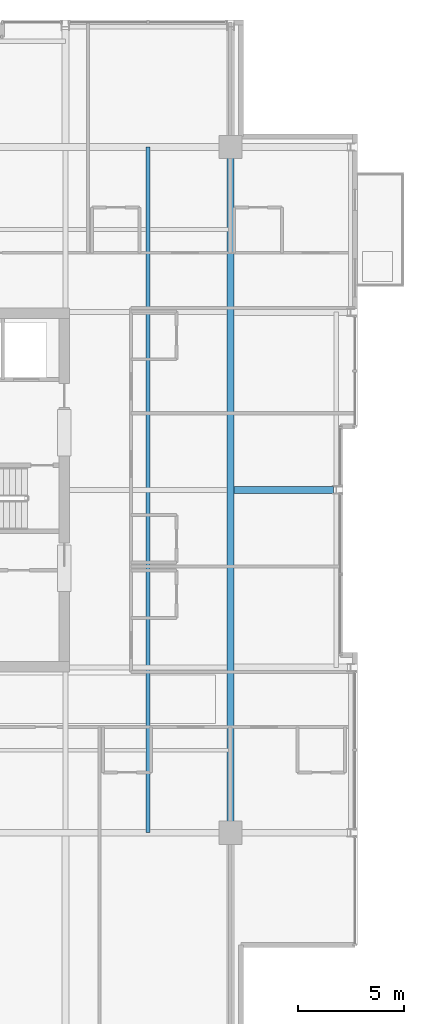
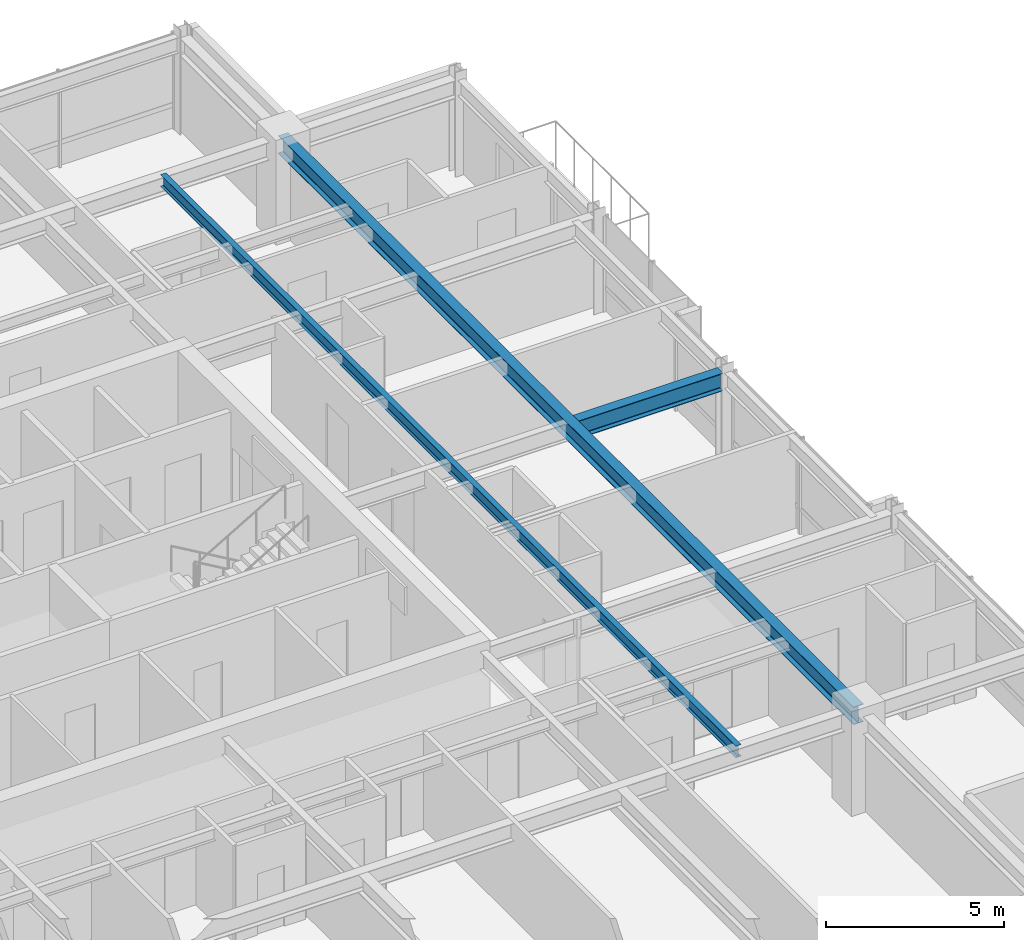
# One storey, part 17 of 34: 3 beams.
"""IFC4 building model written with IfcOpenShell, lengths in metres."""

from ifc_helpers import new_model, si_unit, direction, frame, origin, origin_2d, place, context, subcontext, project, spatial, i_section, extrude, material, material_profile, profile_set, type_object, element, save


model = new_model("IFC4")

# Units and contexts
model_context = context("Model", 3, precision=1e-05, world=origin(), true_north=direction((0.0, 1.0)))
body_context = subcontext(model_context, "Body", "Model", "MODEL_VIEW")
ifc_project = project(units=[si_unit("LENGTHUNIT", "METRE"), si_unit("AREAUNIT", "SQUARE_METRE"), si_unit("VOLUMEUNIT", "CUBIC_METRE"), si_unit("PLANEANGLEUNIT", "RADIAN"), si_unit("MASSUNIT", "GRAM", prefix="KILO")], contexts=[model_context])

# Site, building, storey
site_placement = place(None, origin())
site = spatial("IfcSite", under=ifc_project, at=site_placement, CompositionType="ELEMENT")
building_placement = place(site_placement, origin())
building = spatial("IfcBuilding", under=site, at=building_placement, Name="Drelvath Grand Hotel", CompositionType="ELEMENT")
storey_placement = place(building_placement, frame((0.0, 0.0, 251.89990234375)))
storey = spatial("IfcBuildingStorey", under=building, at=storey_placement, Name="L66", CompositionType="ELEMENT", Elevation=251.89990234375)

# Beams
ifc_material = material(Name="Steel ASTM A992 Gr 50", Category="steel")
ifc_material_profile_1 = material_profile(ifc_material, i_section(OverallWidth=0.177734375, OverallDepth=0.40673828125, WebThickness=0.0078125, FlangeThickness=0.0126953125, FilletRadius=0.014892578125, at=origin_2d()), Name="W16X40")
ifc_profile_set_1 = profile_set([ifc_material_profile_1], Name="Steel ASTM A992 Gr 50")
beam_type_1 = type_object("IfcBeamType", Name="Composite Floor Joist W16X40", PredefinedType="JOIST", material=ifc_profile_set_1)
beam_1_placement = place(storey_placement, frame((12.300048828125, 10.800048828125, 3.0966796875), z_axis=(0.0, 1.0, 0.0), x_axis=(-1.0, 0.0, 0.0)))
element("IfcBeam", 1, at=beam_1_placement, inside=storey, type_object=beam_type_1, Name="L66 Wing Floor Joist J4", PredefinedType="JOIST", context=body_context, shape_type="SweptSolid", body=[
    extrude(i_section(OverallWidth=0.177734375, OverallDepth=0.40673828125, WebThickness=0.0078125, FlangeThickness=0.0126953125, FilletRadius=0.014892578125, at=origin_2d()), origin(), (0.0, 0.0, 1.0), 32.39990234375),
])
ifc_material_profile_2 = material_profile(ifc_material, i_section(OverallWidth=0.323974609375, OverallDepth=0.611083984375, WebThickness=0.0126953125, FlangeThickness=0.01904296875, FilletRadius=0.02197265625, at=origin_2d()), Name="W24X104")
ifc_profile_set_2 = profile_set([ifc_material_profile_2], Name="Steel ASTM A992 Gr 50")
beam_type_2 = type_object("IfcBeamType", Name="Primary Floor Girder W24X104", PredefinedType="BEAM", material=ifc_profile_set_2)
beam_2_placement = place(storey_placement, frame((16.199951171875, 10.800048828125, 2.994384765625), z_axis=(0.0, 1.0, 0.0), x_axis=(-1.0, 0.0, 0.0)))
element("IfcBeam", 2, at=beam_2_placement, inside=storey, type_object=beam_type_2, Name="L66 Mega Ring Girder East", PredefinedType="BEAM", context=body_context, shape_type="SweptSolid", body=[
    extrude(i_section(OverallWidth=0.323974609375, OverallDepth=0.611083984375, WebThickness=0.0126953125, FlangeThickness=0.01904296875, FilletRadius=0.02197265625, at=origin_2d()), origin(), (0.0, 0.0, 1.0), 32.39990234375),
])
beam_3_placement = place(storey_placement, frame((16.362060546875, 27.0, 2.994384765625), z_axis=(1.0, 0.0, 0.0), x_axis=(0.0, 1.0, 0.0)))
element("IfcBeam", 3, at=beam_3_placement, inside=storey, type_object=beam_type_2, Name="L66 East Wing Girder E", PredefinedType="BEAM", context=body_context, shape_type="SweptSolid", body=[
    extrude(i_section(OverallWidth=0.323974609375, OverallDepth=0.611083984375, WebThickness=0.0126953125, FlangeThickness=0.01904296875, FilletRadius=0.02197265625, at=origin_2d()), origin(), (0.0, 0.0, 1.0), 4.697998046875),
])

save(model, "model.ifc")
